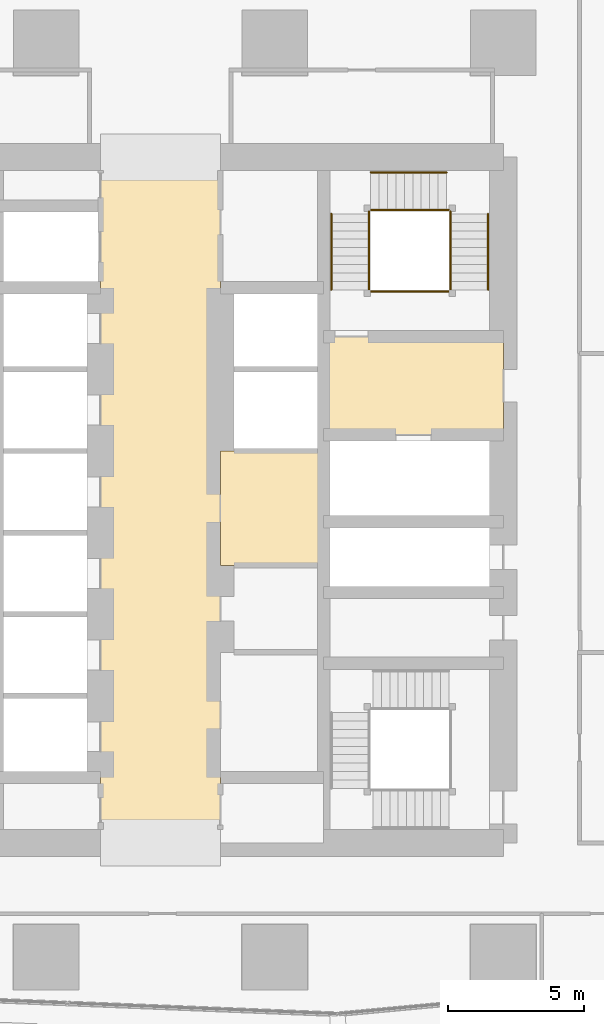
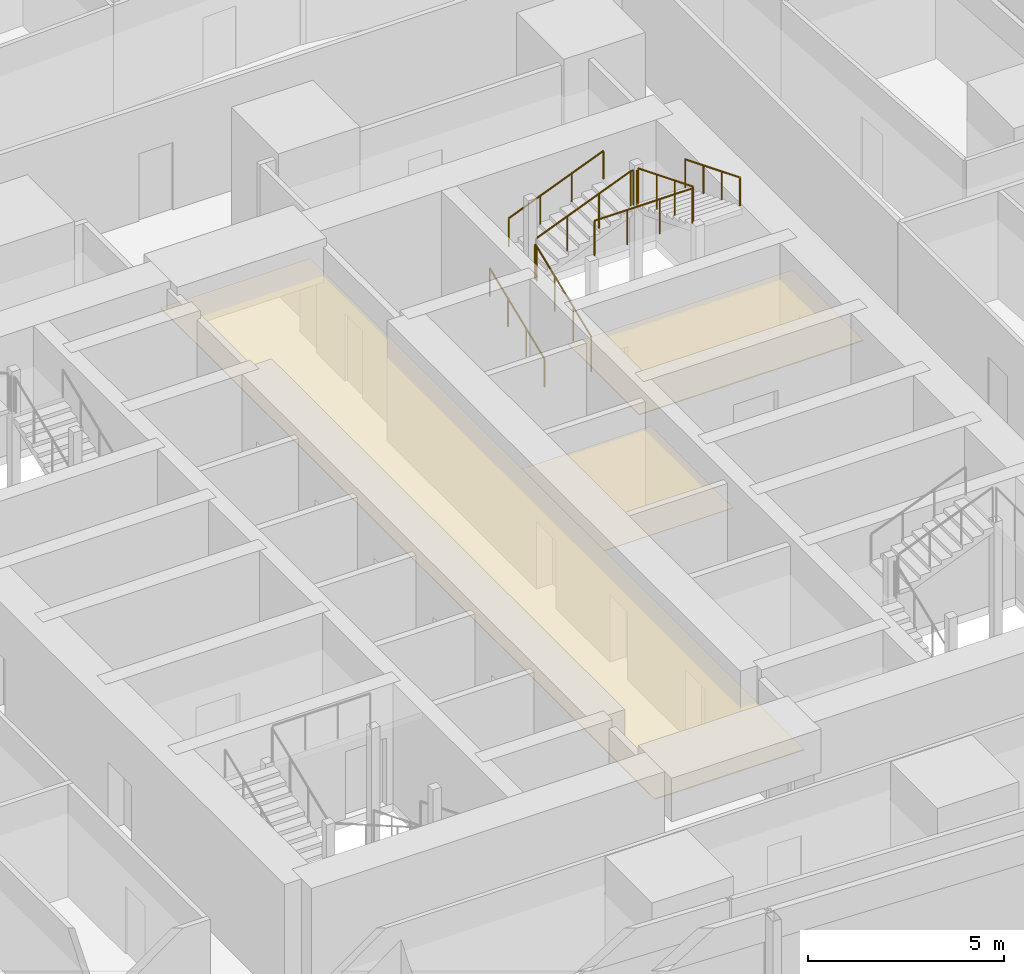
# One storey, part 36 of 37: 10 railings, 3 coverings.
"""IFC4 building model written with IfcOpenShell, lengths in metres."""

from ifc_helpers import new_model, si_unit, direction, frame, origin, origin_2d, place, context, subcontext, project, spatial, polyline, circle, outline, extrude, material, layer, layer_set, type_object, element, save


model = new_model("IFC4")

# Units and contexts
model_context = context("Model", 3, precision=1e-05, world=origin(), true_north=direction((0.0, 1.0)))
body_context = subcontext(model_context, "Body", "Model", "MODEL_VIEW")
ifc_project = project(units=[si_unit("LENGTHUNIT", "METRE"), si_unit("AREAUNIT", "SQUARE_METRE"), si_unit("VOLUMEUNIT", "CUBIC_METRE"), si_unit("PLANEANGLEUNIT", "RADIAN"), si_unit("MASSUNIT", "GRAM", prefix="KILO")], contexts=[model_context])

# Site, building, storey
site_placement = place(None, origin())
site = spatial("IfcSite", under=ifc_project, at=site_placement, CompositionType="ELEMENT")
building_placement = place(site_placement, origin())
building = spatial("IfcBuilding", under=site, at=building_placement, Name="Rekha Terrace Tower", CompositionType="ELEMENT")
storey_placement = place(building_placement, frame((0.0, 0.0, 228.949951171875)))
storey = spatial("IfcBuildingStorey", under=building, at=storey_placement, Name="L58", CompositionType="ELEMENT", Elevation=228.949951171875)

# Coverings
ifc_material_1 = material(Name="Fibre cement board", Category="finish")
ifc_layer_1 = layer(ifc_material_1, 0.014892578125)
ifc_layer_set_1 = layer_set([ifc_layer_1], Name="Fibre cement board")
covering_type_1 = type_object("IfcCoveringType", Name="CL2 moisture-resistant board ceiling", PredefinedType="CEILING", material=ifc_layer_set_1)
covering_1_placement = place(storey_placement, frame((0.0, 0.0, 2.5849609375)))
element("IfcCovering", 1, at=covering_1_placement, inside=storey, type_object=covering_type_1, Name="Ceiling L58-FSE3", PredefinedType="CEILING", context=body_context, shape_type="SweptSolid", body=[
    extrude(outline(polyline([(43.800048828125, 35.39990234375), (40.0, 35.39990234375), (40.0, 31.199951171875), (43.800048828125, 31.199951171875), (43.800048828125, 35.39990234375)])), origin(), (0.0, 0.0, 1.0), 0.01513671875),
])
ifc_material_2 = material(Name="Powder-coated aluminium pan", Category="aluminium")
ifc_layer_2 = layer(ifc_material_2, 0.030029296875)
ifc_layer_set_2 = layer_set([ifc_layer_2], Name="Powder-coated aluminium pan")
covering_type_2 = type_object("IfcCoveringType", Name="CL3 300x1200 metal pan ceiling", PredefinedType="CEILING", material=ifc_layer_set_2)
covering_2_placement = place(storey_placement, frame((0.0, 0.0, 2.570068359375)))
element("IfcCovering", 2, at=covering_2_placement, inside=storey, type_object=covering_type_2, Name="Ceiling L58-LOBBY", PredefinedType="CEILING", context=body_context, shape_type="SweptSolid", body=[
    extrude(outline(polyline([(40.0, 46.199951171875), (35.60009765625, 46.199951171875), (35.60009765625, 21.0), (40.0, 21.0), (40.0, 46.199951171875)])), origin(), (0.0, 0.0, 1.0), 0.030029296875),
])
covering_3_placement = place(storey_placement, frame((0.0, 0.0, 2.570068359375)))
element("IfcCovering", 3, at=covering_3_placement, inside=storey, type_object=covering_type_2, Name="Ceiling L58-FLB2", PredefinedType="CEILING", context=body_context, shape_type="SweptSolid", body=[
    extrude(outline(polyline([(50.39990234375, 39.60009765625), (43.800048828125, 39.60009765625), (43.800048828125, 36.0), (50.39990234375, 36.0), (50.39990234375, 39.60009765625)])), origin(), (0.0, 0.0, 1.0), 0.030029296875),
])

# Railings
ifc_material_3 = material(Name="Stainless steel balustrade", Category="steel")
railing_type_1 = type_object("IfcRailingType", Name="GR1 1100 stair guard", PredefinedType="GUARDRAIL", material=ifc_material_3)
railing_1_placement = place(storey_placement, frame((45.465087890625, 41.324951171875, 0.125)))
element("IfcRailing", 4, at=railing_1_placement, inside=storey, type_object=railing_type_1, Name="Guard ST2 L58 flight 1", PredefinedType="GUARDRAIL", context=body_context, shape_type="SweptSolid", body=[
    extrude(circle(Radius=0.02392578125, at=origin_2d()), frame((0.0, 0.0, 1.076171875), z_axis=(0.0, 0.927443287984, 0.373963831907), x_axis=(-1.0, 0.0, 0.0)), (0.0, 0.0, 1.0), 3.00830078125),
    extrude(circle(Radius=0.02099609375, at=origin_2d()), origin(), (0.0, 0.0, 1.0), 1.052001953125),
    extrude(circle(Radius=0.02099609375, at=origin_2d()), frame((0.0, 0.929931640625, 0.375)), (0.0, 0.0, 1.0), 1.052001953125),
    extrude(circle(Radius=0.02099609375, at=origin_2d()), frame((0.0, 1.860107421875, 0.75)), (0.0, 0.0, 1.0), 1.052001953125),
    extrude(circle(Radius=0.02099609375, at=origin_2d()), frame((0.0, 2.7900390625, 1.125)), (0.0, 0.0, 1.0), 1.052001953125),
])
railing_2_placement = place(storey_placement, frame((45.52490234375, 44.260009765625, 1.375)))
element("IfcRailing", 5, at=railing_2_placement, inside=storey, type_object=railing_type_1, Name="Guard ST2 L58 flight 2", PredefinedType="GUARDRAIL", context=body_context, shape_type="SweptSolid", body=[
    extrude(circle(Radius=0.02392578125, at=origin_2d()), frame((0.0, 0.0, 1.076171875), z_axis=(0.927443287984, 0.0, 0.373963831907), x_axis=(0.0, 1.0, 0.0)), (0.0, 0.0, 1.0), 3.00830078125),
    extrude(circle(Radius=0.02099609375, at=origin_2d()), origin(), (0.0, 0.0, 1.0), 1.052001953125),
    extrude(circle(Radius=0.02099609375, at=origin_2d()), frame((0.929931640625, 0.0, 0.375)), (0.0, 0.0, 1.0), 1.052001953125),
    extrude(circle(Radius=0.02099609375, at=origin_2d()), frame((1.860107421875, 0.0, 0.75)), (0.0, 0.0, 1.0), 1.052001953125),
    extrude(circle(Radius=0.02099609375, at=origin_2d()), frame((2.7900390625, 0.0, 1.125)), (0.0, 0.0, 1.0), 1.052001953125),
])
railing_3_placement = place(storey_placement, frame((48.4599609375, 44.114990234375, 2.625)))
element("IfcRailing", 6, at=railing_3_placement, inside=storey, type_object=railing_type_1, Name="Guard ST2 L58 flight 3", PredefinedType="GUARDRAIL", context=body_context, shape_type="SweptSolid", body=[
    extrude(circle(Radius=0.02392578125, at=origin_2d()), frame((0.0, 0.0, 1.076171875), z_axis=(0.0, -0.927443287984, 0.373963831907), x_axis=(1.0, 0.0, 0.0)), (0.0, 0.0, 1.0), 3.00830078125),
    extrude(circle(Radius=0.02099609375, at=origin_2d()), origin(), (0.0, 0.0, 1.0), 1.052001953125),
    extrude(circle(Radius=0.02099609375, at=origin_2d()), frame((0.0, -0.929931640625, 0.375)), (0.0, 0.0, 1.0), 1.052001953125),
    extrude(circle(Radius=0.02099609375, at=origin_2d()), frame((0.0, -1.860107421875, 0.75)), (0.0, 0.0, 1.0), 1.052001953125),
    extrude(circle(Radius=0.02099609375, at=origin_2d()), frame((0.0, -2.7900390625, 1.125)), (0.0, 0.0, 1.0), 1.052001953125),
])
railing_4_placement = place(storey_placement, frame((45.465087890625, 44.114990234375, 1.25)))
element("IfcRailing", 7, at=railing_4_placement, inside=storey, type_object=railing_type_1, Name="Guard ST2 L58 landing 1", PredefinedType="GUARDRAIL", context=body_context, shape_type="SweptSolid", body=[
    extrude(circle(Radius=0.02392578125, at=origin_2d()), frame((0.0, 0.0, 1.076171875), z_axis=(0.0, 1.0, 0.0), x_axis=(-1.0, 0.0, 0.0)), (0.0, 0.0, 1.0), 0.0849609375),
    extrude(circle(Radius=0.02099609375, at=origin_2d()), origin(), (0.0, 0.0, 1.0), 1.052001953125),
    extrude(circle(Radius=0.02099609375, at=origin_2d()), frame((0.0, 0.0849609375, 0.0)), (0.0, 0.0, 1.0), 1.052001953125),
])
railing_5_placement = place(storey_placement, frame((48.31494140625, 44.260009765625, 2.5)))
element("IfcRailing", 8, at=railing_5_placement, inside=storey, type_object=railing_type_1, Name="Guard ST2 L58 landing 2", PredefinedType="GUARDRAIL", context=body_context, shape_type="SweptSolid", body=[
    extrude(circle(Radius=0.02392578125, at=origin_2d()), frame((0.0, 0.0, 1.076171875), z_axis=(1.0, 0.0, 0.0), x_axis=(0.0, 1.0, 0.0)), (0.0, 0.0, 1.0), 0.0849609375),
    extrude(circle(Radius=0.02099609375, at=origin_2d()), origin(), (0.0, 0.0, 1.0), 1.052001953125),
    extrude(circle(Radius=0.02099609375, at=origin_2d()), frame((0.0849609375, 0.0, 0.0)), (0.0, 0.0, 1.0), 1.052001953125),
])
railing_6_placement = place(storey_placement, frame((48.4599609375, 44.114990234375, 2.5)))
element("IfcRailing", 9, at=railing_6_placement, inside=storey, type_object=railing_type_1, Name="Guard ST2 L58 landing 3", PredefinedType="GUARDRAIL", context=body_context, shape_type="SweptSolid", body=[
    extrude(circle(Radius=0.02392578125, at=origin_2d()), frame((0.0, 0.0, 1.076171875), z_axis=(0.0, 1.0, 0.0), x_axis=(-1.0, 0.0, 0.0)), (0.0, 0.0, 1.0), 0.0849609375),
    extrude(circle(Radius=0.02099609375, at=origin_2d()), origin(), (0.0, 0.0, 1.0), 1.052001953125),
    extrude(circle(Radius=0.02099609375, at=origin_2d()), frame((0.0, 0.0849609375, 0.0)), (0.0, 0.0, 1.0), 1.052001953125),
])
railing_7_placement = place(storey_placement, frame((45.52490234375, 41.264892578125, 3.75)))
element("IfcRailing", 10, at=railing_7_placement, inside=storey, type_object=railing_type_1, Name="Guard ST2 L58 landing 4", PredefinedType="GUARDRAIL", context=body_context, shape_type="SweptSolid", body=[
    extrude(circle(Radius=0.02392578125, at=origin_2d()), frame((0.0, 0.0, 1.076171875), z_axis=(1.0, 0.0, 0.0), x_axis=(0.0, 1.0, 0.0)), (0.0, 0.0, 1.0), 2.875),
    extrude(circle(Radius=0.02099609375, at=origin_2d()), origin(), (0.0, 0.0, 1.0), 1.052001953125),
    extrude(circle(Radius=0.02099609375, at=origin_2d()), frame((0.958251953125, 0.0, 0.0)), (0.0, 0.0, 1.0), 1.052001953125),
    extrude(circle(Radius=0.02099609375, at=origin_2d()), frame((1.916748046875, 0.0, 0.0)), (0.0, 0.0, 1.0), 1.052001953125),
    extrude(circle(Radius=0.02099609375, at=origin_2d()), frame((2.875, 0.0, 0.0)), (0.0, 0.0, 1.0), 1.052001953125),
])
ifc_material_4 = material(Name="Stainless steel tube", Category="steel")
railing_type_2 = type_object("IfcRailingType", Name="HR1 900 stair handrail", PredefinedType="HANDRAIL", material=ifc_material_4)
railing_8_placement = place(storey_placement, frame((44.0849609375, 41.324951171875, 0.125)))
element("IfcRailing", 11, at=railing_8_placement, inside=storey, type_object=railing_type_2, Name="Handrail ST2 L58 flight 1", PredefinedType="HANDRAIL", context=body_context, shape_type="SweptSolid", body=[
    extrude(circle(Radius=0.02392578125, at=origin_2d()), frame((0.0, 0.0, 0.8759765625), z_axis=(0.0, 0.927443287984, 0.373963831907), x_axis=(-1.0, 0.0, 0.0)), (0.0, 0.0, 1.0), 3.00830078125),
    extrude(circle(Radius=0.02099609375, at=origin_2d()), origin(), (0.0, 0.0, 1.0), 0.851806640625),
    extrude(circle(Radius=0.02099609375, at=origin_2d()), frame((0.0, 0.929931640625, 0.375)), (0.0, 0.0, 1.0), 0.851806640625),
    extrude(circle(Radius=0.02099609375, at=origin_2d()), frame((0.0, 1.860107421875, 0.75)), (0.0, 0.0, 1.0), 0.851806640625),
    extrude(circle(Radius=0.02099609375, at=origin_2d()), frame((0.0, 2.7900390625, 1.125)), (0.0, 0.0, 1.0), 0.851806640625),
])
railing_9_placement = place(storey_placement, frame((45.52490234375, 45.639892578125, 1.375)))
element("IfcRailing", 12, at=railing_9_placement, inside=storey, type_object=railing_type_2, Name="Handrail ST2 L58 flight 2", PredefinedType="HANDRAIL", context=body_context, shape_type="SweptSolid", body=[
    extrude(circle(Radius=0.02392578125, at=origin_2d()), frame((0.0, 0.0, 0.8759765625), z_axis=(0.927443287984, 0.0, 0.373963831907), x_axis=(0.0, 1.0, 0.0)), (0.0, 0.0, 1.0), 3.00830078125),
    extrude(circle(Radius=0.02099609375, at=origin_2d()), origin(), (0.0, 0.0, 1.0), 0.851806640625),
    extrude(circle(Radius=0.02099609375, at=origin_2d()), frame((0.929931640625, 0.0, 0.375)), (0.0, 0.0, 1.0), 0.851806640625),
    extrude(circle(Radius=0.02099609375, at=origin_2d()), frame((1.860107421875, 0.0, 0.75)), (0.0, 0.0, 1.0), 0.851806640625),
    extrude(circle(Radius=0.02099609375, at=origin_2d()), frame((2.7900390625, 0.0, 1.125)), (0.0, 0.0, 1.0), 0.851806640625),
])
railing_10_placement = place(storey_placement, frame((49.840087890625, 44.114990234375, 2.625)))
element("IfcRailing", 13, at=railing_10_placement, inside=storey, type_object=railing_type_2, Name="Handrail ST2 L58 flight 3", PredefinedType="HANDRAIL", context=body_context, shape_type="SweptSolid", body=[
    extrude(circle(Radius=0.02392578125, at=origin_2d()), frame((0.0, 0.0, 0.8759765625), z_axis=(0.0, -0.927443287984, 0.373963831907), x_axis=(1.0, 0.0, 0.0)), (0.0, 0.0, 1.0), 3.00830078125),
    extrude(circle(Radius=0.02099609375, at=origin_2d()), origin(), (0.0, 0.0, 1.0), 0.851806640625),
    extrude(circle(Radius=0.02099609375, at=origin_2d()), frame((0.0, -0.929931640625, 0.375)), (0.0, 0.0, 1.0), 0.851806640625),
    extrude(circle(Radius=0.02099609375, at=origin_2d()), frame((0.0, -1.860107421875, 0.75)), (0.0, 0.0, 1.0), 0.851806640625),
    extrude(circle(Radius=0.02099609375, at=origin_2d()), frame((0.0, -2.7900390625, 1.125)), (0.0, 0.0, 1.0), 0.851806640625),
])

save(model, "model.ifc")
